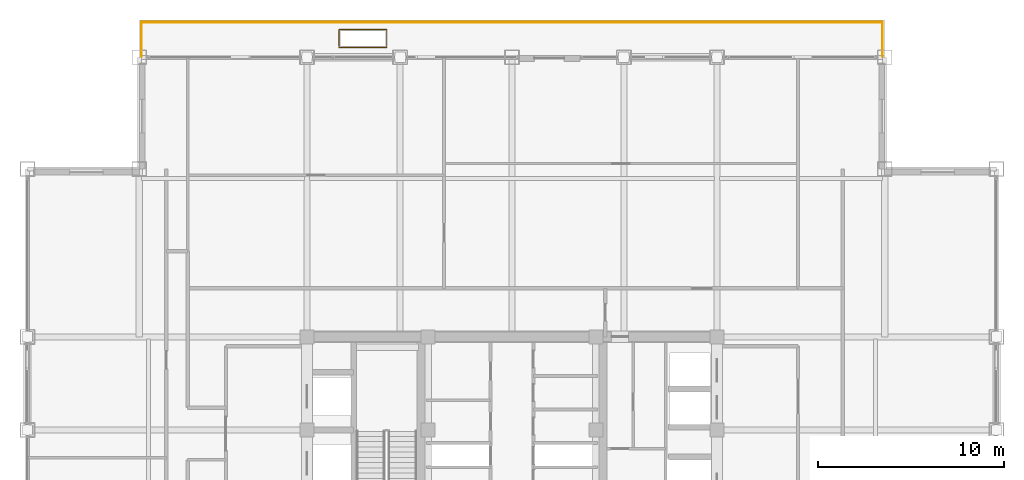
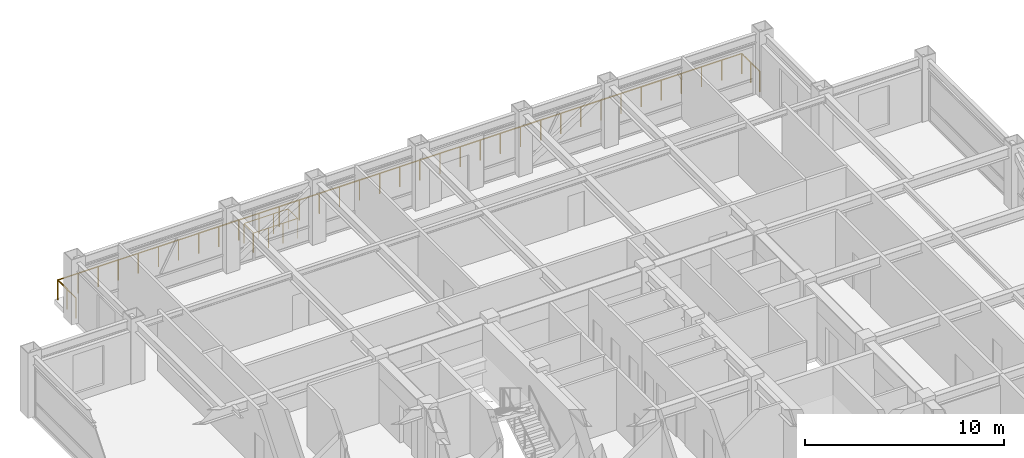
# One storey, part 30 of 30: 2 railings.
"""IFC4 building model written with IfcOpenShell, lengths in metres."""

from ifc_helpers import new_model, si_unit, direction, frame, origin, origin_2d, place, context, subcontext, project, spatial, circle, extrude, source, transform, mapped, material, type_object, element, save


model = new_model("IFC4")

# Units and contexts
model_context = context("Model", 3, precision=1e-05, world=origin(), true_north=direction((0.0, 1.0)))
body_context = subcontext(model_context, "Body", "Model", "MODEL_VIEW")
ifc_project = project(units=[si_unit("LENGTHUNIT", "METRE"), si_unit("AREAUNIT", "SQUARE_METRE"), si_unit("VOLUMEUNIT", "CUBIC_METRE"), si_unit("PLANEANGLEUNIT", "RADIAN"), si_unit("MASSUNIT", "GRAM", prefix="KILO")], contexts=[model_context])

# Site, building, storey
site_placement = place(None, origin())
site = spatial("IfcSite", under=ifc_project, at=site_placement, CompositionType="ELEMENT")
building_placement = place(site_placement, origin())
building = spatial("IfcBuilding", under=site, at=building_placement, Name="Khorayat Bourse Tower", CompositionType="ELEMENT")
storey_placement = place(building_placement, frame((0.0, 0.0, 326.300048828125)))
storey = spatial("IfcBuildingStorey", under=building, at=storey_placement, Name="L77", CompositionType="ELEMENT", Elevation=326.300048828125)

# Railings
ifc_material = material(Name="Laminated glass and bronze balustrade", Category="glass")
railing_type = type_object("IfcRailingType", Name="RLG-TERR-1250", PredefinedType="GUARDRAIL", material=ifc_material)
shared_shape_1 = source(origin(), body_context, "Body", "SweptSolid", [
    extrude(circle(Radius=0.02392578125, at=origin_2d()), frame((0.0, 0.0, 1.22607421875), z_axis=(1.0, 0.0, 0.0), x_axis=(0.0, 1.0, 0.0)), (0.0, 0.0, 1.0), 2.56005859375),
    extrude(circle(Radius=0.02392578125, at=origin_2d()), frame((2.56005859375, 0.0, 1.22607421875), z_axis=(0.0, 1.0, 0.0), x_axis=(-1.0, 0.0, 0.0)), (0.0, 0.0, 1.0), 0.9599609375),
    extrude(circle(Radius=0.02392578125, at=origin_2d()), frame((2.56005859375, 0.9599609375, 1.22607421875), z_axis=(-1.0, 0.0, 0.0), x_axis=(0.0, -1.0, 0.0)), (0.0, 0.0, 1.0), 2.56005859375),
    extrude(circle(Radius=0.02392578125, at=origin_2d()), frame((0.0, 0.9599609375, 1.22607421875), z_axis=(0.0, -1.0, 0.0), x_axis=(1.0, 0.0, 0.0)), (0.0, 0.0, 1.0), 0.8798828125),
    extrude(circle(Radius=0.02099609375, at=origin_2d()), origin(), (0.0, 0.0, 1.0), 1.201904296875),
    extrude(circle(Radius=0.02099609375, at=origin_2d()), frame((0.853271484375, 0.0, 0.0)), (0.0, 0.0, 1.0), 1.201904296875),
    extrude(circle(Radius=0.02099609375, at=origin_2d()), frame((1.706787109375, 0.0, 0.0)), (0.0, 0.0, 1.0), 1.201904296875),
    extrude(circle(Radius=0.02099609375, at=origin_2d()), frame((2.56005859375, 0.0, 0.0)), (0.0, 0.0, 1.0), 1.201904296875),
    extrude(circle(Radius=0.02099609375, at=origin_2d()), frame((2.56005859375, 0.9599609375, 0.0)), (0.0, 0.0, 1.0), 1.201904296875),
    extrude(circle(Radius=0.02099609375, at=origin_2d()), frame((1.706787109375, 0.9599609375, 0.0)), (0.0, 0.0, 1.0), 1.201904296875),
    extrude(circle(Radius=0.02099609375, at=origin_2d()), frame((0.853271484375, 0.9599609375, 0.0)), (0.0, 0.0, 1.0), 1.201904296875),
    extrude(circle(Radius=0.02099609375, at=origin_2d()), frame((0.0, 0.9599609375, 0.0)), (0.0, 0.0, 1.0), 1.201904296875),
    extrude(circle(Radius=0.02099609375, at=origin_2d()), frame((0.0, 0.080078125, 0.0)), (0.0, 0.0, 1.0), 1.201904296875),
])
railing_1_placement = place(storey_placement, frame((-9.280029296875, 26.52001953125, 0.0)))
element("IfcRailing", 1, at=railing_1_placement, inside=storey, type_object=railing_type, Name="L77 Terrace Tree-Pit Guardrail 01", PredefinedType="GUARDRAIL", context=body_context, shape_type="MappedRepresentation", body=[
    mapped(shared_shape_1, transform((0.0, 0.0, 0.0), scale=1.0)),
])
shared_shape_2 = source(origin(), body_context, "Body", "SweptSolid", [
    extrude(circle(Radius=0.02392578125, at=origin_2d()), frame((0.0, 0.0, 1.22607421875), z_axis=(0.0, 1.0, 0.0), x_axis=(-1.0, 0.0, 0.0)), (0.0, 0.0, 1.0), 1.829833984375),
    extrude(circle(Radius=0.02392578125, at=origin_2d()), frame((0.0, 1.829833984375, 1.22607421875), z_axis=(1.0, 0.0, 0.0), x_axis=(0.0, 1.0, 0.0)), (0.0, 0.0, 1.0), 39.759765625),
    extrude(circle(Radius=0.02392578125, at=origin_2d()), frame((39.759765625, 1.829833984375, 1.22607421875), z_axis=(0.0, -1.0, 0.0), x_axis=(1.0, 0.0, 0.0)), (0.0, 0.0, 1.0), 1.829833984375),
    extrude(circle(Radius=0.02099609375, at=origin_2d()), origin(), (0.0, 0.0, 1.0), 1.201904296875),
    extrude(circle(Radius=0.02099609375, at=origin_2d()), frame((0.0, 0.9150390625, 0.0)), (0.0, 0.0, 1.0), 1.201904296875),
    extrude(circle(Radius=0.02099609375, at=origin_2d()), frame((0.0, 1.829833984375, 0.0)), (0.0, 0.0, 1.0), 1.201904296875),
    extrude(circle(Radius=0.02099609375, at=origin_2d()), frame((1.16943359375, 1.829833984375, 0.0)), (0.0, 0.0, 1.0), 1.201904296875),
    extrude(circle(Radius=0.02099609375, at=origin_2d()), frame((2.3388671875, 1.829833984375, 0.0)), (0.0, 0.0, 1.0), 1.201904296875),
    extrude(circle(Radius=0.02099609375, at=origin_2d()), frame((3.50830078125, 1.829833984375, 0.0)), (0.0, 0.0, 1.0), 1.201904296875),
    extrude(circle(Radius=0.02099609375, at=origin_2d()), frame((4.677734375, 1.829833984375, 0.0)), (0.0, 0.0, 1.0), 1.201904296875),
    extrude(circle(Radius=0.02099609375, at=origin_2d()), frame((5.846923828125, 1.829833984375, 0.0)), (0.0, 0.0, 1.0), 1.201904296875),
    extrude(circle(Radius=0.02099609375, at=origin_2d()), frame((7.016357421875, 1.829833984375, 0.0)), (0.0, 0.0, 1.0), 1.201904296875),
    extrude(circle(Radius=0.02099609375, at=origin_2d()), frame((8.185791015625, 1.829833984375, 0.0)), (0.0, 0.0, 1.0), 1.201904296875),
    extrude(circle(Radius=0.02099609375, at=origin_2d()), frame((9.355224609375, 1.829833984375, 0.0)), (0.0, 0.0, 1.0), 1.201904296875),
    extrude(circle(Radius=0.02099609375, at=origin_2d()), frame((10.524658203125, 1.829833984375, 0.0)), (0.0, 0.0, 1.0), 1.201904296875),
    extrude(circle(Radius=0.02099609375, at=origin_2d()), frame((11.694091796875, 1.829833984375, 0.0)), (0.0, 0.0, 1.0), 1.201904296875),
    extrude(circle(Radius=0.02099609375, at=origin_2d()), frame((12.863525390625, 1.829833984375, 0.0)), (0.0, 0.0, 1.0), 1.201904296875),
    extrude(circle(Radius=0.02099609375, at=origin_2d()), frame((14.032958984375, 1.829833984375, 0.0)), (0.0, 0.0, 1.0), 1.201904296875),
    extrude(circle(Radius=0.02099609375, at=origin_2d()), frame((15.2021484375, 1.829833984375, 0.0)), (0.0, 0.0, 1.0), 1.201904296875),
    extrude(circle(Radius=0.02099609375, at=origin_2d()), frame((16.37158203125, 1.829833984375, 0.0)), (0.0, 0.0, 1.0), 1.201904296875),
    extrude(circle(Radius=0.02099609375, at=origin_2d()), frame((17.541015625, 1.829833984375, 0.0)), (0.0, 0.0, 1.0), 1.201904296875),
    extrude(circle(Radius=0.02099609375, at=origin_2d()), frame((18.71044921875, 1.829833984375, 0.0)), (0.0, 0.0, 1.0), 1.201904296875),
    extrude(circle(Radius=0.02099609375, at=origin_2d()), frame((19.8798828125, 1.829833984375, 0.0)), (0.0, 0.0, 1.0), 1.201904296875),
    extrude(circle(Radius=0.02099609375, at=origin_2d()), frame((21.04931640625, 1.829833984375, 0.0)), (0.0, 0.0, 1.0), 1.201904296875),
    extrude(circle(Radius=0.02099609375, at=origin_2d()), frame((22.21875, 1.829833984375, 0.0)), (0.0, 0.0, 1.0), 1.201904296875),
    extrude(circle(Radius=0.02099609375, at=origin_2d()), frame((23.38818359375, 1.829833984375, 0.0)), (0.0, 0.0, 1.0), 1.201904296875),
    extrude(circle(Radius=0.02099609375, at=origin_2d()), frame((24.5576171875, 1.829833984375, 0.0)), (0.0, 0.0, 1.0), 1.201904296875),
    extrude(circle(Radius=0.02099609375, at=origin_2d()), frame((25.726806640625, 1.829833984375, 0.0)), (0.0, 0.0, 1.0), 1.201904296875),
    extrude(circle(Radius=0.02099609375, at=origin_2d()), frame((26.896240234375, 1.829833984375, 0.0)), (0.0, 0.0, 1.0), 1.201904296875),
    extrude(circle(Radius=0.02099609375, at=origin_2d()), frame((28.065673828125, 1.829833984375, 0.0)), (0.0, 0.0, 1.0), 1.201904296875),
    extrude(circle(Radius=0.02099609375, at=origin_2d()), frame((29.235107421875, 1.829833984375, 0.0)), (0.0, 0.0, 1.0), 1.201904296875),
    extrude(circle(Radius=0.02099609375, at=origin_2d()), frame((30.404541015625, 1.829833984375, 0.0)), (0.0, 0.0, 1.0), 1.201904296875),
    extrude(circle(Radius=0.02099609375, at=origin_2d()), frame((31.573974609375, 1.829833984375, 0.0)), (0.0, 0.0, 1.0), 1.201904296875),
    extrude(circle(Radius=0.02099609375, at=origin_2d()), frame((32.743408203125, 1.829833984375, 0.0)), (0.0, 0.0, 1.0), 1.201904296875),
    extrude(circle(Radius=0.02099609375, at=origin_2d()), frame((33.912841796875, 1.829833984375, 0.0)), (0.0, 0.0, 1.0), 1.201904296875),
    extrude(circle(Radius=0.02099609375, at=origin_2d()), frame((35.08203125, 1.829833984375, 0.0)), (0.0, 0.0, 1.0), 1.201904296875),
    extrude(circle(Radius=0.02099609375, at=origin_2d()), frame((36.25146484375, 1.829833984375, 0.0)), (0.0, 0.0, 1.0), 1.201904296875),
    extrude(circle(Radius=0.02099609375, at=origin_2d()), frame((37.4208984375, 1.829833984375, 0.0)), (0.0, 0.0, 1.0), 1.201904296875),
    extrude(circle(Radius=0.02099609375, at=origin_2d()), frame((38.59033203125, 1.829833984375, 0.0)), (0.0, 0.0, 1.0), 1.201904296875),
    extrude(circle(Radius=0.02099609375, at=origin_2d()), frame((39.759765625, 1.829833984375, 0.0)), (0.0, 0.0, 1.0), 1.201904296875),
    extrude(circle(Radius=0.02099609375, at=origin_2d()), frame((39.759765625, 0.9150390625, 0.0)), (0.0, 0.0, 1.0), 1.201904296875),
    extrude(circle(Radius=0.02099609375, at=origin_2d()), frame((39.759765625, 0.0, 0.0)), (0.0, 0.0, 1.0), 1.201904296875),
])
railing_2_placement = place(storey_placement, frame((-19.8798828125, 26.050048828125, 0.0)))
element("IfcRailing", 2, at=railing_2_placement, inside=storey, type_object=railing_type, Name="L77 North Setback Terrace Guardrail", PredefinedType="GUARDRAIL", context=body_context, shape_type="MappedRepresentation", body=[
    mapped(shared_shape_2, transform((0.0, 0.0, 0.0), scale=1.0)),
])

save(model, "model.ifc")
